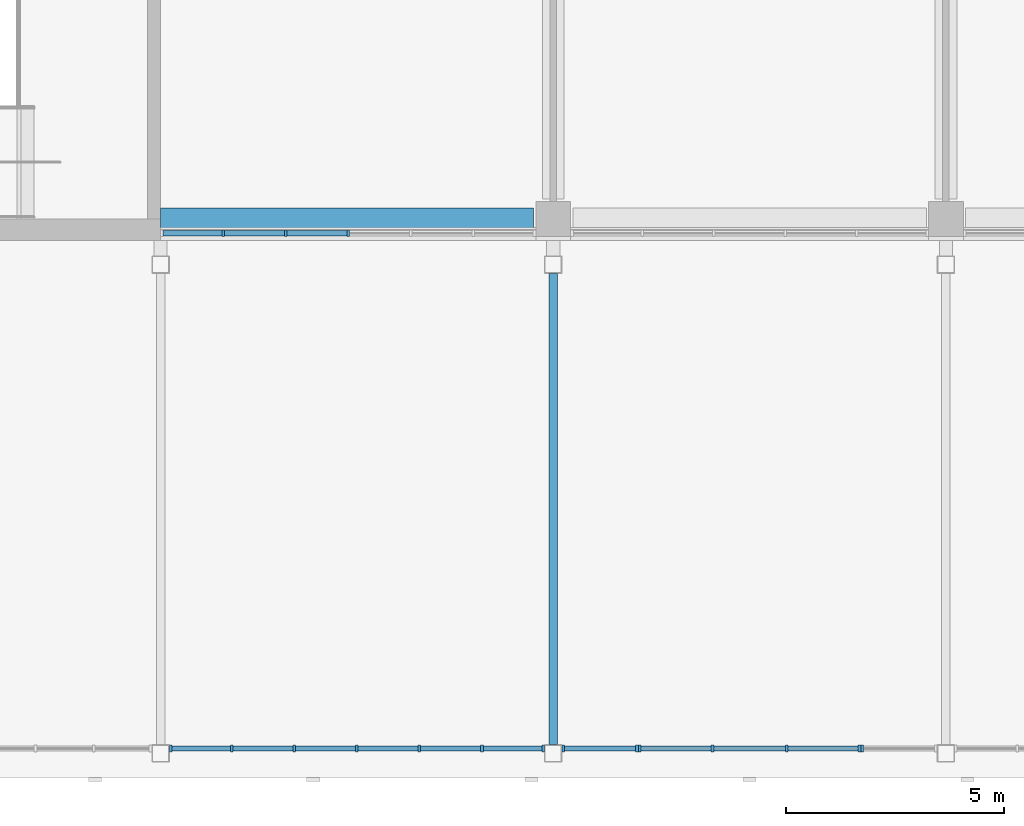
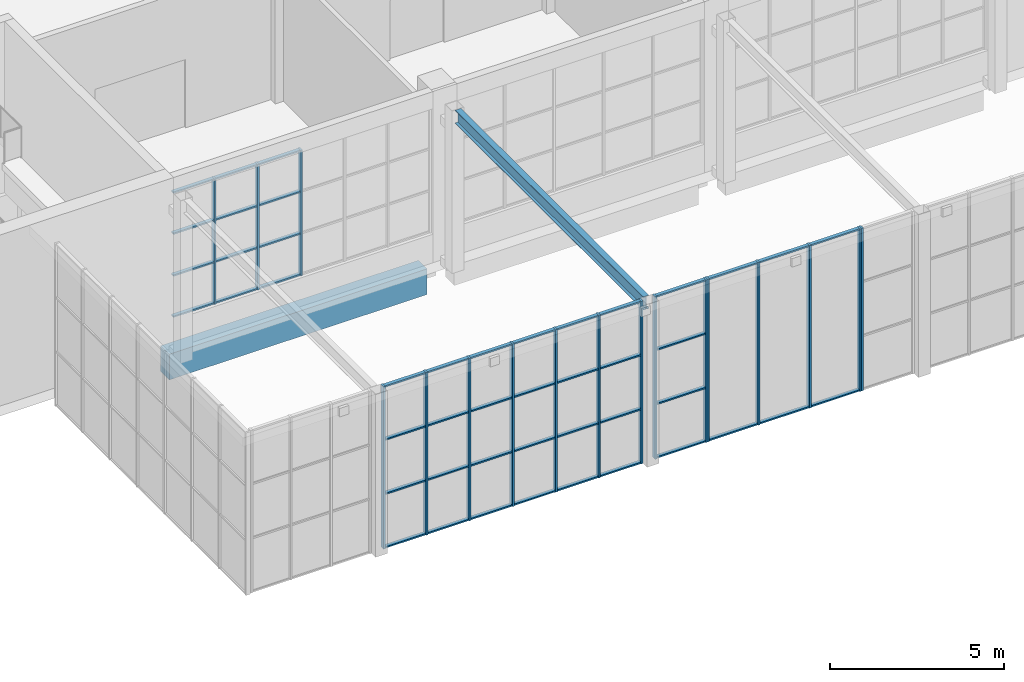
# One storey, part 9 of 89: 63 members, 2 beams, 5 elements without a shape of their own.
"""IFC4 building model written with IfcOpenShell, lengths in metres."""

from ifc_helpers import new_model, si_unit, direction, frame, origin, origin_2d, place, context, subcontext, project, spatial, rectangle, i_section, extrude, material, material_profile, profile_set, type_object, element, aggregate, save


model = new_model("IFC4")

# Units and contexts
model_context = context("Model", 3, precision=1e-05, world=origin(), true_north=direction((0.0, 1.0)))
body_context = subcontext(model_context, "Body", "Model", "MODEL_VIEW")
ifc_project = project(units=[si_unit("LENGTHUNIT", "METRE"), si_unit("AREAUNIT", "SQUARE_METRE"), si_unit("VOLUMEUNIT", "CUBIC_METRE"), si_unit("PLANEANGLEUNIT", "RADIAN"), si_unit("MASSUNIT", "GRAM", prefix="KILO")], contexts=[model_context])

# Site, building, storey
site_placement = place(None, origin())
site = spatial("IfcSite", under=ifc_project, at=site_placement, CompositionType="ELEMENT")
building_placement = place(site_placement, origin())
building = spatial("IfcBuilding", under=site, at=building_placement, Name="Silverbay Arena", CompositionType="ELEMENT")
storey_placement = place(building_placement, frame((0.0, 0.0, 22.0)))
storey = spatial("IfcBuildingStorey", under=building, at=storey_placement, Name="L03", CompositionType="ELEMENT", Elevation=22.0)

# Beam
ifc_material_1 = material(Name="Steel S355", Category="steel")
ifc_material_profile_1 = material_profile(ifc_material_1, i_section(OverallWidth=0.19287109375, OverallDepth=0.46728515625, WebThickness=0.011474609375, FlangeThickness=0.01953125, at=origin_2d()), Name="UB 457x191x98")
ifc_profile_set_1 = profile_set([ifc_material_profile_1], Name="Steel S355")
beam_type_1 = type_object("IfcBeamType", Name="Hall beam UB 457x191x98", PredefinedType="BEAM", material=ifc_profile_set_1)
beam_1_placement = place(storey_placement, frame((126.0, 16.75, 5.46630859375), z_axis=(0.0, -1.0, 0.0), x_axis=(1.0, 0.0, 0.0)))
element("IfcBeam", 1, at=beam_1_placement, inside=storey, type_object=beam_type_1, Name="South entrance hall S1 transverse beam 2R", PredefinedType="BEAM", context=body_context, shape_type="SweptSolid", body=[
    extrude(i_section(OverallWidth=0.19287109375, OverallDepth=0.46728515625, WebThickness=0.011474609375, FlangeThickness=0.01953125, at=origin_2d()), origin(), (0.0, 0.0, 1.0), 10.800048828125),
])

# Curtain wall, members
ifc_material_2 = material(Name="Aluminium framed curtain wall", Category="aluminium")
curtain_wall_type_1 = type_object("IfcCurtainWallType", Name="Curtain wall 8600 x 4400", PredefinedType="NOTDEFINED", material=ifc_material_2)
curtain_wall_1_placement = place(storey_placement, origin())
curtain_wall_1 = element("IfcCurtainWall", 2, at=curtain_wall_1_placement, inside=storey, type_object=curtain_wall_type_1, Name="South curtain wall L03 bay 8", PredefinedType="NOTDEFINED")
ifc_material_3 = material(Name="Aluminium", Category="aluminium")
ifc_material_profile_2 = material_profile(ifc_material_3, rectangle(XDim=0.159912109375, YDim=0.06005859375, at=origin_2d()), Name="Mullion 60 x 160")
ifc_profile_set_2 = profile_set([ifc_material_profile_2], Name="Aluminium")
member_type_1 = type_object("IfcMemberType", Name="Mullion 60 x 160", PredefinedType="MULLION", material=ifc_profile_set_2)
member_1_placement = place(storey_placement, frame((118.433349609375, 17.669921875, 1.0), z_axis=(0.0, 0.0, 1.0), x_axis=(0.0, 1.0, 0.0)))
member_1 = element("IfcMember", 3, at=member_1_placement, type_object=member_type_1, Name="CW12 mullion 2", PredefinedType="MULLION", context=body_context, shape_type="SweptSolid", body=[
    extrude(rectangle(XDim=0.159912109375, YDim=0.06005859375, at=origin_2d()), origin(), (0.0, 0.0, 1.0), 4.39990234375),
])
member_2_placement = place(storey_placement, frame((119.86669921875, 17.669921875, 1.0), z_axis=(0.0, 0.0, 1.0), x_axis=(0.0, 1.0, 0.0)))
member_2 = element("IfcMember", 4, at=member_2_placement, type_object=member_type_1, Name="CW12 mullion 3", PredefinedType="MULLION", context=body_context, shape_type="SweptSolid", body=[
    extrude(rectangle(XDim=0.159912109375, YDim=0.06005859375, at=origin_2d()), origin(), (0.0, 0.0, 1.0), 4.39990234375),
])
member_3_placement = place(storey_placement, frame((121.300048828125, 17.669921875, 1.0), z_axis=(0.0, 0.0, 1.0), x_axis=(0.0, 1.0, 0.0)))
member_3 = element("IfcMember", 5, at=member_3_placement, type_object=member_type_1, Name="CW12 mullion 4", PredefinedType="MULLION", context=body_context, shape_type="SweptSolid", body=[
    extrude(rectangle(XDim=0.159912109375, YDim=0.06005859375, at=origin_2d()), origin(), (0.0, 0.0, 1.0), 4.39990234375),
])

ifc_material_4 = material(Name="Aluminium framed curtain wall", Category="aluminium")
curtain_wall_type_2 = type_object("IfcCurtainWallType", Name="Curtain wall 8600 x 5700", PredefinedType="NOTDEFINED", material=ifc_material_4)
curtain_wall_2_placement = place(storey_placement, origin())
curtain_wall_2 = element("IfcCurtainWall", 6, at=curtain_wall_2_placement, inside=storey, type_object=curtain_wall_type_2, Name="South entrance hall S1 glazing F0", PredefinedType="NOTDEFINED")
member_4_placement = place(storey_placement, frame((117.22998046875, 5.860107421875, 0.0), z_axis=(0.0, 0.0, 1.0), x_axis=(0.0, 1.0, 0.0)))
member_4 = element("IfcMember", 7, at=member_4_placement, type_object=member_type_1, Name="CW27 mullion 1", PredefinedType="MULLION", context=body_context, shape_type="SweptSolid", body=[
    extrude(rectangle(XDim=0.159912109375, YDim=0.06005859375, at=origin_2d()), origin(), (0.0, 0.0, 1.0), 5.699951171875),
])
member_5_placement = place(storey_placement, frame((118.63330078125, 5.860107421875, 0.0), z_axis=(0.0, 0.0, 1.0), x_axis=(0.0, 1.0, 0.0)))
member_5 = element("IfcMember", 8, at=member_5_placement, type_object=member_type_1, Name="CW27 mullion 2", PredefinedType="MULLION", context=body_context, shape_type="SweptSolid", body=[
    extrude(rectangle(XDim=0.159912109375, YDim=0.06005859375, at=origin_2d()), origin(), (0.0, 0.0, 1.0), 5.699951171875),
])
member_6_placement = place(storey_placement, frame((120.066650390625, 5.860107421875, 0.0), z_axis=(0.0, 0.0, 1.0), x_axis=(0.0, 1.0, 0.0)))
member_6 = element("IfcMember", 9, at=member_6_placement, type_object=member_type_1, Name="CW27 mullion 3", PredefinedType="MULLION", context=body_context, shape_type="SweptSolid", body=[
    extrude(rectangle(XDim=0.159912109375, YDim=0.06005859375, at=origin_2d()), origin(), (0.0, 0.0, 1.0), 5.699951171875),
])
member_7_placement = place(storey_placement, frame((121.5, 5.860107421875, 0.0), z_axis=(0.0, 0.0, 1.0), x_axis=(0.0, 1.0, 0.0)))
member_7 = element("IfcMember", 10, at=member_7_placement, type_object=member_type_1, Name="CW27 mullion 4", PredefinedType="MULLION", context=body_context, shape_type="SweptSolid", body=[
    extrude(rectangle(XDim=0.159912109375, YDim=0.06005859375, at=origin_2d()), origin(), (0.0, 0.0, 1.0), 5.699951171875),
])
member_8_placement = place(storey_placement, frame((122.933349609375, 5.860107421875, 0.0), z_axis=(0.0, 0.0, 1.0), x_axis=(0.0, 1.0, 0.0)))
member_8 = element("IfcMember", 11, at=member_8_placement, type_object=member_type_1, Name="CW27 mullion 5", PredefinedType="MULLION", context=body_context, shape_type="SweptSolid", body=[
    extrude(rectangle(XDim=0.159912109375, YDim=0.06005859375, at=origin_2d()), origin(), (0.0, 0.0, 1.0), 5.699951171875),
])
member_9_placement = place(storey_placement, frame((124.36669921875, 5.860107421875, 0.0), z_axis=(0.0, 0.0, 1.0), x_axis=(0.0, 1.0, 0.0)))
member_9 = element("IfcMember", 12, at=member_9_placement, type_object=member_type_1, Name="CW27 mullion 6", PredefinedType="MULLION", context=body_context, shape_type="SweptSolid", body=[
    extrude(rectangle(XDim=0.159912109375, YDim=0.06005859375, at=origin_2d()), origin(), (0.0, 0.0, 1.0), 5.699951171875),
])
member_10_placement = place(storey_placement, frame((125.77001953125, 5.860107421875, 0.0), z_axis=(0.0, 0.0, 1.0), x_axis=(0.0, 1.0, 0.0)))
member_10 = element("IfcMember", 13, at=member_10_placement, type_object=member_type_1, Name="CW27 mullion 7", PredefinedType="MULLION", context=body_context, shape_type="SweptSolid", body=[
    extrude(rectangle(XDim=0.159912109375, YDim=0.06005859375, at=origin_2d()), origin(), (0.0, 0.0, 1.0), 5.699951171875),
])

ifc_material_5 = material(Name="Aluminium framed curtain wall", Category="aluminium")
curtain_wall_type_3 = type_object("IfcCurtainWallType", Name="Curtain wall 1750 x 5700", PredefinedType="NOTDEFINED", material=ifc_material_5)
curtain_wall_3_placement = place(storey_placement, origin())
curtain_wall_3 = element("IfcCurtainWall", 14, at=curtain_wall_3_placement, inside=storey, type_object=curtain_wall_type_3, Name="South entrance hall S1 glazing F1a", PredefinedType="NOTDEFINED")
member_11_placement = place(storey_placement, frame((126.22998046875, 5.860107421875, 0.0), z_axis=(0.0, 0.0, 1.0), x_axis=(0.0, 1.0, 0.0)))
member_11 = element("IfcMember", 15, at=member_11_placement, type_object=member_type_1, Name="CW31 mullion 1", PredefinedType="MULLION", context=body_context, shape_type="SweptSolid", body=[
    extrude(rectangle(XDim=0.159912109375, YDim=0.06005859375, at=origin_2d()), origin(), (0.0, 0.0, 1.0), 5.699951171875),
])
member_12_placement = place(storey_placement, frame((127.919921875, 5.860107421875, 0.0), z_axis=(0.0, 0.0, 1.0), x_axis=(0.0, 1.0, 0.0)))
member_12 = element("IfcMember", 16, at=member_12_placement, type_object=member_type_1, Name="CW31 mullion 2", PredefinedType="MULLION", context=body_context, shape_type="SweptSolid", body=[
    extrude(rectangle(XDim=0.159912109375, YDim=0.06005859375, at=origin_2d()), origin(), (0.0, 0.0, 1.0), 5.699951171875),
])

# Curtain wall, member
curtain_wall_4_placement = place(storey_placement, origin())
curtain_wall_4 = element("IfcCurtainWall", 17, at=curtain_wall_4_placement, inside=storey, type_object=curtain_wall_type_3, Name="South entrance hall S1 glazing F1b", PredefinedType="NOTDEFINED")
member_13_placement = place(storey_placement, frame((133.080078125, 5.860107421875, 0.0), z_axis=(0.0, 0.0, 1.0), x_axis=(0.0, 1.0, 0.0)))
member_13 = element("IfcMember", 18, at=member_13_placement, type_object=member_type_1, Name="CW31 mullion 1", PredefinedType="MULLION", context=body_context, shape_type="SweptSolid", body=[
    extrude(rectangle(XDim=0.159912109375, YDim=0.06005859375, at=origin_2d()), origin(), (0.0, 0.0, 1.0), 5.699951171875),
])
aggregate(curtain_wall_4, [member_13])

# Curtain wall, members
ifc_material_6 = material(Name="Aluminium framed curtain wall", Category="aluminium")
curtain_wall_type_4 = type_object("IfcCurtainWallType", Name="Curtain wall 5100 x 5700", PredefinedType="NOTDEFINED", material=ifc_material_6)
curtain_wall_5_placement = place(storey_placement, origin())
curtain_wall_5 = element("IfcCurtainWall", 19, at=curtain_wall_5_placement, inside=storey, type_object=curtain_wall_type_4, Name="South entrance hall S1 glazing over the door", PredefinedType="NOTDEFINED")
member_14_placement = place(storey_placement, frame((127.97998046875, 5.860107421875, 0.0), z_axis=(0.0, 0.0, 1.0), x_axis=(0.0, 1.0, 0.0)))
member_14 = element("IfcMember", 20, at=member_14_placement, type_object=member_type_1, Name="CW41 mullion 1", PredefinedType="MULLION", context=body_context, shape_type="SweptSolid", body=[
    extrude(rectangle(XDim=0.159912109375, YDim=0.06005859375, at=origin_2d()), origin(), (0.0, 0.0, 1.0), 5.699951171875),
])
member_15_placement = place(storey_placement, frame((129.64990234375, 5.860107421875, 0.0), z_axis=(0.0, 0.0, 1.0), x_axis=(0.0, 1.0, 0.0)))
member_15 = element("IfcMember", 21, at=member_15_placement, type_object=member_type_1, Name="CW41 mullion 2", PredefinedType="MULLION", context=body_context, shape_type="SweptSolid", body=[
    extrude(rectangle(XDim=0.159912109375, YDim=0.06005859375, at=origin_2d()), origin(), (0.0, 0.0, 1.0), 5.699951171875),
])
member_16_placement = place(storey_placement, frame((131.35009765625, 5.860107421875, 0.0), z_axis=(0.0, 0.0, 1.0), x_axis=(0.0, 1.0, 0.0)))
member_16 = element("IfcMember", 22, at=member_16_placement, type_object=member_type_1, Name="CW41 mullion 3", PredefinedType="MULLION", context=body_context, shape_type="SweptSolid", body=[
    extrude(rectangle(XDim=0.159912109375, YDim=0.06005859375, at=origin_2d()), origin(), (0.0, 0.0, 1.0), 5.699951171875),
])
member_17_placement = place(storey_placement, frame((133.02001953125, 5.860107421875, 0.0), z_axis=(0.0, 0.0, 1.0), x_axis=(0.0, 1.0, 0.0)))
member_17 = element("IfcMember", 23, at=member_17_placement, type_object=member_type_1, Name="CW41 mullion 4", PredefinedType="MULLION", context=body_context, shape_type="SweptSolid", body=[
    extrude(rectangle(XDim=0.159912109375, YDim=0.06005859375, at=origin_2d()), origin(), (0.0, 0.0, 1.0), 5.699951171875),
])

# Beam
ifc_material_7 = material(Name="Concrete Grade C45", Category="concrete")
ifc_material_profile_3 = material_profile(ifc_material_7, rectangle(XDim=0.5, YDim=0.89990234375, at=origin_2d()), Name="RC 500x900")
ifc_profile_set_3 = profile_set([ifc_material_profile_3], Name="Concrete Grade C45")
beam_type_2 = type_object("IfcBeamType", Name="RC beam 500x900", PredefinedType="BEAM", material=ifc_profile_set_3)
beam_2_placement = place(storey_placement, frame((117.0, 18.0, -0.800048828125), z_axis=(1.0, 0.0, 0.0), x_axis=(0.0, 1.0, 0.0)))
element("IfcBeam", 24, at=beam_2_placement, inside=storey, type_object=beam_type_2, Name="Floor beam L03 002", PredefinedType="BEAM", context=body_context, shape_type="SweptSolid", body=[
    extrude(rectangle(XDim=0.5, YDim=0.89990234375, at=origin_2d()), origin(), (0.0, 0.0, 1.0), 8.550048828125),
])

# Member
ifc_material_8 = material(Name="Aluminium", Category="aluminium")
ifc_material_profile_4 = material_profile(ifc_material_8, rectangle(XDim=0.1201171875, YDim=0.050048828125, at=origin_2d()), Name="Transom 50 x 120")
ifc_profile_set_4 = profile_set([ifc_material_profile_4], Name="Aluminium")
member_type_2 = type_object("IfcMemberType", Name="Transom 50 x 120", PredefinedType="USERDEFINED", material=ifc_profile_set_4)
member_18_placement = place(storey_placement, frame((117.06005859375, 17.669921875, 1.02490234375), z_axis=(1.0, 0.0, 0.0), x_axis=(0.0, 1.0, 0.0)))
member_18 = element("IfcMember", 25, at=member_18_placement, type_object=member_type_2, Name="CW12 transom 1.1", ObjectType="TRANSOM", PredefinedType="USERDEFINED", context=body_context, shape_type="SweptSolid", body=[
    extrude(rectangle(XDim=0.1201171875, YDim=0.050048828125, at=origin_2d()), origin(), (0.0, 0.0, 1.0), 1.34326171875),
])

member_19_placement = place(storey_placement, frame((117.06005859375, 17.669921875, 2.466552734375), z_axis=(1.0, 0.0, 0.0), x_axis=(0.0, 1.0, 0.0)))
member_19 = element("IfcMember", 26, at=member_19_placement, type_object=member_type_2, Name="CW12 transom 1.2", ObjectType="TRANSOM", PredefinedType="USERDEFINED", context=body_context, shape_type="SweptSolid", body=[
    extrude(rectangle(XDim=0.1201171875, YDim=0.050048828125, at=origin_2d()), origin(), (0.0, 0.0, 1.0), 1.34326171875),
])

member_20_placement = place(storey_placement, frame((117.06005859375, 17.669921875, 3.933349609375), z_axis=(1.0, 0.0, 0.0), x_axis=(0.0, 1.0, 0.0)))
member_20 = element("IfcMember", 27, at=member_20_placement, type_object=member_type_2, Name="CW12 transom 1.3", ObjectType="TRANSOM", PredefinedType="USERDEFINED", context=body_context, shape_type="SweptSolid", body=[
    extrude(rectangle(XDim=0.1201171875, YDim=0.050048828125, at=origin_2d()), origin(), (0.0, 0.0, 1.0), 1.34326171875),
])

member_21_placement = place(storey_placement, frame((117.06005859375, 17.669921875, 5.375), z_axis=(1.0, 0.0, 0.0), x_axis=(0.0, 1.0, 0.0)))
member_21 = element("IfcMember", 28, at=member_21_placement, type_object=member_type_2, Name="CW12 transom 1.4", ObjectType="TRANSOM", PredefinedType="USERDEFINED", context=body_context, shape_type="SweptSolid", body=[
    extrude(rectangle(XDim=0.1201171875, YDim=0.050048828125, at=origin_2d()), origin(), (0.0, 0.0, 1.0), 1.34326171875),
])

member_22_placement = place(storey_placement, frame((118.46337890625, 17.669921875, 1.02490234375), z_axis=(1.0, 0.0, 0.0), x_axis=(0.0, 1.0, 0.0)))
member_22 = element("IfcMember", 29, at=member_22_placement, type_object=member_type_2, Name="CW12 transom 2.1", ObjectType="TRANSOM", PredefinedType="USERDEFINED", context=body_context, shape_type="SweptSolid", body=[
    extrude(rectangle(XDim=0.1201171875, YDim=0.050048828125, at=origin_2d()), origin(), (0.0, 0.0, 1.0), 1.373291015625),
])

member_23_placement = place(storey_placement, frame((118.46337890625, 17.669921875, 2.466552734375), z_axis=(1.0, 0.0, 0.0), x_axis=(0.0, 1.0, 0.0)))
member_23 = element("IfcMember", 30, at=member_23_placement, type_object=member_type_2, Name="CW12 transom 2.2", ObjectType="TRANSOM", PredefinedType="USERDEFINED", context=body_context, shape_type="SweptSolid", body=[
    extrude(rectangle(XDim=0.1201171875, YDim=0.050048828125, at=origin_2d()), origin(), (0.0, 0.0, 1.0), 1.373291015625),
])

member_24_placement = place(storey_placement, frame((118.46337890625, 17.669921875, 3.933349609375), z_axis=(1.0, 0.0, 0.0), x_axis=(0.0, 1.0, 0.0)))
member_24 = element("IfcMember", 31, at=member_24_placement, type_object=member_type_2, Name="CW12 transom 2.3", ObjectType="TRANSOM", PredefinedType="USERDEFINED", context=body_context, shape_type="SweptSolid", body=[
    extrude(rectangle(XDim=0.1201171875, YDim=0.050048828125, at=origin_2d()), origin(), (0.0, 0.0, 1.0), 1.373291015625),
])

member_25_placement = place(storey_placement, frame((118.46337890625, 17.669921875, 5.375), z_axis=(1.0, 0.0, 0.0), x_axis=(0.0, 1.0, 0.0)))
member_25 = element("IfcMember", 32, at=member_25_placement, type_object=member_type_2, Name="CW12 transom 2.4", ObjectType="TRANSOM", PredefinedType="USERDEFINED", context=body_context, shape_type="SweptSolid", body=[
    extrude(rectangle(XDim=0.1201171875, YDim=0.050048828125, at=origin_2d()), origin(), (0.0, 0.0, 1.0), 1.373291015625),
])

member_26_placement = place(storey_placement, frame((119.896728515625, 17.669921875, 1.02490234375), z_axis=(1.0, 0.0, 0.0), x_axis=(0.0, 1.0, 0.0)))
member_26 = element("IfcMember", 33, at=member_26_placement, type_object=member_type_2, Name="CW12 transom 3.1", ObjectType="TRANSOM", PredefinedType="USERDEFINED", context=body_context, shape_type="SweptSolid", body=[
    extrude(rectangle(XDim=0.1201171875, YDim=0.050048828125, at=origin_2d()), origin(), (0.0, 0.0, 1.0), 1.373291015625),
])

member_27_placement = place(storey_placement, frame((119.896728515625, 17.669921875, 2.466552734375), z_axis=(1.0, 0.0, 0.0), x_axis=(0.0, 1.0, 0.0)))
member_27 = element("IfcMember", 34, at=member_27_placement, type_object=member_type_2, Name="CW12 transom 3.2", ObjectType="TRANSOM", PredefinedType="USERDEFINED", context=body_context, shape_type="SweptSolid", body=[
    extrude(rectangle(XDim=0.1201171875, YDim=0.050048828125, at=origin_2d()), origin(), (0.0, 0.0, 1.0), 1.373291015625),
])

member_28_placement = place(storey_placement, frame((119.896728515625, 17.669921875, 3.933349609375), z_axis=(1.0, 0.0, 0.0), x_axis=(0.0, 1.0, 0.0)))
member_28 = element("IfcMember", 35, at=member_28_placement, type_object=member_type_2, Name="CW12 transom 3.3", ObjectType="TRANSOM", PredefinedType="USERDEFINED", context=body_context, shape_type="SweptSolid", body=[
    extrude(rectangle(XDim=0.1201171875, YDim=0.050048828125, at=origin_2d()), origin(), (0.0, 0.0, 1.0), 1.373291015625),
])

member_29_placement = place(storey_placement, frame((119.896728515625, 17.669921875, 5.375), z_axis=(1.0, 0.0, 0.0), x_axis=(0.0, 1.0, 0.0)))
member_29 = element("IfcMember", 36, at=member_29_placement, type_object=member_type_2, Name="CW12 transom 3.4", ObjectType="TRANSOM", PredefinedType="USERDEFINED", context=body_context, shape_type="SweptSolid", body=[
    extrude(rectangle(XDim=0.1201171875, YDim=0.050048828125, at=origin_2d()), origin(), (0.0, 0.0, 1.0), 1.373291015625),
])

aggregate(curtain_wall_1, [member_1, member_2, member_3, member_18, member_19, member_20, member_21, member_22, member_23, member_24, member_25, member_26, member_27, member_28, member_29])

member_30_placement = place(storey_placement, frame((117.260009765625, 5.860107421875, 0.02490234375), z_axis=(1.0, 0.0, 0.0), x_axis=(0.0, 1.0, 0.0)))
member_30 = element("IfcMember", 37, at=member_30_placement, type_object=member_type_2, Name="CW27 transom 1.1", ObjectType="TRANSOM", PredefinedType="USERDEFINED", context=body_context, shape_type="SweptSolid", body=[
    extrude(rectangle(XDim=0.1201171875, YDim=0.050048828125, at=origin_2d()), origin(), (0.0, 0.0, 1.0), 1.34326171875),
])

member_31_placement = place(storey_placement, frame((117.260009765625, 5.860107421875, 1.89990234375), z_axis=(1.0, 0.0, 0.0), x_axis=(0.0, 1.0, 0.0)))
member_31 = element("IfcMember", 38, at=member_31_placement, type_object=member_type_2, Name="CW27 transom 1.2", ObjectType="TRANSOM", PredefinedType="USERDEFINED", context=body_context, shape_type="SweptSolid", body=[
    extrude(rectangle(XDim=0.1201171875, YDim=0.050048828125, at=origin_2d()), origin(), (0.0, 0.0, 1.0), 1.34326171875),
])

member_32_placement = place(storey_placement, frame((117.260009765625, 5.860107421875, 3.800048828125), z_axis=(1.0, 0.0, 0.0), x_axis=(0.0, 1.0, 0.0)))
member_32 = element("IfcMember", 39, at=member_32_placement, type_object=member_type_2, Name="CW27 transom 1.3", ObjectType="TRANSOM", PredefinedType="USERDEFINED", context=body_context, shape_type="SweptSolid", body=[
    extrude(rectangle(XDim=0.1201171875, YDim=0.050048828125, at=origin_2d()), origin(), (0.0, 0.0, 1.0), 1.34326171875),
])

member_33_placement = place(storey_placement, frame((117.260009765625, 5.860107421875, 5.675048828125), z_axis=(1.0, 0.0, 0.0), x_axis=(0.0, 1.0, 0.0)))
member_33 = element("IfcMember", 40, at=member_33_placement, type_object=member_type_2, Name="CW27 transom 1.4", ObjectType="TRANSOM", PredefinedType="USERDEFINED", context=body_context, shape_type="SweptSolid", body=[
    extrude(rectangle(XDim=0.1201171875, YDim=0.050048828125, at=origin_2d()), origin(), (0.0, 0.0, 1.0), 1.34326171875),
])

member_34_placement = place(storey_placement, frame((118.663330078125, 5.860107421875, 0.02490234375), z_axis=(1.0, 0.0, 0.0), x_axis=(0.0, 1.0, 0.0)))
member_34 = element("IfcMember", 41, at=member_34_placement, type_object=member_type_2, Name="CW27 transom 2.1", ObjectType="TRANSOM", PredefinedType="USERDEFINED", context=body_context, shape_type="SweptSolid", body=[
    extrude(rectangle(XDim=0.1201171875, YDim=0.050048828125, at=origin_2d()), origin(), (0.0, 0.0, 1.0), 1.373291015625),
])

member_35_placement = place(storey_placement, frame((118.663330078125, 5.860107421875, 1.89990234375), z_axis=(1.0, 0.0, 0.0), x_axis=(0.0, 1.0, 0.0)))
member_35 = element("IfcMember", 42, at=member_35_placement, type_object=member_type_2, Name="CW27 transom 2.2", ObjectType="TRANSOM", PredefinedType="USERDEFINED", context=body_context, shape_type="SweptSolid", body=[
    extrude(rectangle(XDim=0.1201171875, YDim=0.050048828125, at=origin_2d()), origin(), (0.0, 0.0, 1.0), 1.373291015625),
])

member_36_placement = place(storey_placement, frame((118.663330078125, 5.860107421875, 3.800048828125), z_axis=(1.0, 0.0, 0.0), x_axis=(0.0, 1.0, 0.0)))
member_36 = element("IfcMember", 43, at=member_36_placement, type_object=member_type_2, Name="CW27 transom 2.3", ObjectType="TRANSOM", PredefinedType="USERDEFINED", context=body_context, shape_type="SweptSolid", body=[
    extrude(rectangle(XDim=0.1201171875, YDim=0.050048828125, at=origin_2d()), origin(), (0.0, 0.0, 1.0), 1.373291015625),
])

member_37_placement = place(storey_placement, frame((118.663330078125, 5.860107421875, 5.675048828125), z_axis=(1.0, 0.0, 0.0), x_axis=(0.0, 1.0, 0.0)))
member_37 = element("IfcMember", 44, at=member_37_placement, type_object=member_type_2, Name="CW27 transom 2.4", ObjectType="TRANSOM", PredefinedType="USERDEFINED", context=body_context, shape_type="SweptSolid", body=[
    extrude(rectangle(XDim=0.1201171875, YDim=0.050048828125, at=origin_2d()), origin(), (0.0, 0.0, 1.0), 1.373291015625),
])

member_38_placement = place(storey_placement, frame((120.0966796875, 5.860107421875, 0.02490234375), z_axis=(1.0, 0.0, 0.0), x_axis=(0.0, 1.0, 0.0)))
member_38 = element("IfcMember", 45, at=member_38_placement, type_object=member_type_2, Name="CW27 transom 3.1", ObjectType="TRANSOM", PredefinedType="USERDEFINED", context=body_context, shape_type="SweptSolid", body=[
    extrude(rectangle(XDim=0.1201171875, YDim=0.050048828125, at=origin_2d()), origin(), (0.0, 0.0, 1.0), 1.373291015625),
])

member_39_placement = place(storey_placement, frame((120.0966796875, 5.860107421875, 1.89990234375), z_axis=(1.0, 0.0, 0.0), x_axis=(0.0, 1.0, 0.0)))
member_39 = element("IfcMember", 46, at=member_39_placement, type_object=member_type_2, Name="CW27 transom 3.2", ObjectType="TRANSOM", PredefinedType="USERDEFINED", context=body_context, shape_type="SweptSolid", body=[
    extrude(rectangle(XDim=0.1201171875, YDim=0.050048828125, at=origin_2d()), origin(), (0.0, 0.0, 1.0), 1.373291015625),
])

member_40_placement = place(storey_placement, frame((120.0966796875, 5.860107421875, 3.800048828125), z_axis=(1.0, 0.0, 0.0), x_axis=(0.0, 1.0, 0.0)))
member_40 = element("IfcMember", 47, at=member_40_placement, type_object=member_type_2, Name="CW27 transom 3.3", ObjectType="TRANSOM", PredefinedType="USERDEFINED", context=body_context, shape_type="SweptSolid", body=[
    extrude(rectangle(XDim=0.1201171875, YDim=0.050048828125, at=origin_2d()), origin(), (0.0, 0.0, 1.0), 1.373291015625),
])

member_41_placement = place(storey_placement, frame((120.0966796875, 5.860107421875, 5.675048828125), z_axis=(1.0, 0.0, 0.0), x_axis=(0.0, 1.0, 0.0)))
member_41 = element("IfcMember", 48, at=member_41_placement, type_object=member_type_2, Name="CW27 transom 3.4", ObjectType="TRANSOM", PredefinedType="USERDEFINED", context=body_context, shape_type="SweptSolid", body=[
    extrude(rectangle(XDim=0.1201171875, YDim=0.050048828125, at=origin_2d()), origin(), (0.0, 0.0, 1.0), 1.373291015625),
])

member_42_placement = place(storey_placement, frame((121.530029296875, 5.860107421875, 0.02490234375), z_axis=(1.0, 0.0, 0.0), x_axis=(0.0, 1.0, 0.0)))
member_42 = element("IfcMember", 49, at=member_42_placement, type_object=member_type_2, Name="CW27 transom 4.1", ObjectType="TRANSOM", PredefinedType="USERDEFINED", context=body_context, shape_type="SweptSolid", body=[
    extrude(rectangle(XDim=0.1201171875, YDim=0.050048828125, at=origin_2d()), origin(), (0.0, 0.0, 1.0), 1.373291015625),
])

member_43_placement = place(storey_placement, frame((121.530029296875, 5.860107421875, 1.89990234375), z_axis=(1.0, 0.0, 0.0), x_axis=(0.0, 1.0, 0.0)))
member_43 = element("IfcMember", 50, at=member_43_placement, type_object=member_type_2, Name="CW27 transom 4.2", ObjectType="TRANSOM", PredefinedType="USERDEFINED", context=body_context, shape_type="SweptSolid", body=[
    extrude(rectangle(XDim=0.1201171875, YDim=0.050048828125, at=origin_2d()), origin(), (0.0, 0.0, 1.0), 1.373291015625),
])

member_44_placement = place(storey_placement, frame((121.530029296875, 5.860107421875, 3.800048828125), z_axis=(1.0, 0.0, 0.0), x_axis=(0.0, 1.0, 0.0)))
member_44 = element("IfcMember", 51, at=member_44_placement, type_object=member_type_2, Name="CW27 transom 4.3", ObjectType="TRANSOM", PredefinedType="USERDEFINED", context=body_context, shape_type="SweptSolid", body=[
    extrude(rectangle(XDim=0.1201171875, YDim=0.050048828125, at=origin_2d()), origin(), (0.0, 0.0, 1.0), 1.373291015625),
])

member_45_placement = place(storey_placement, frame((121.530029296875, 5.860107421875, 5.675048828125), z_axis=(1.0, 0.0, 0.0), x_axis=(0.0, 1.0, 0.0)))
member_45 = element("IfcMember", 52, at=member_45_placement, type_object=member_type_2, Name="CW27 transom 4.4", ObjectType="TRANSOM", PredefinedType="USERDEFINED", context=body_context, shape_type="SweptSolid", body=[
    extrude(rectangle(XDim=0.1201171875, YDim=0.050048828125, at=origin_2d()), origin(), (0.0, 0.0, 1.0), 1.373291015625),
])

member_46_placement = place(storey_placement, frame((122.96337890625, 5.860107421875, 0.02490234375), z_axis=(1.0, 0.0, 0.0), x_axis=(0.0, 1.0, 0.0)))
member_46 = element("IfcMember", 53, at=member_46_placement, type_object=member_type_2, Name="CW27 transom 5.1", ObjectType="TRANSOM", PredefinedType="USERDEFINED", context=body_context, shape_type="SweptSolid", body=[
    extrude(rectangle(XDim=0.1201171875, YDim=0.050048828125, at=origin_2d()), origin(), (0.0, 0.0, 1.0), 1.373291015625),
])

member_47_placement = place(storey_placement, frame((122.96337890625, 5.860107421875, 1.89990234375), z_axis=(1.0, 0.0, 0.0), x_axis=(0.0, 1.0, 0.0)))
member_47 = element("IfcMember", 54, at=member_47_placement, type_object=member_type_2, Name="CW27 transom 5.2", ObjectType="TRANSOM", PredefinedType="USERDEFINED", context=body_context, shape_type="SweptSolid", body=[
    extrude(rectangle(XDim=0.1201171875, YDim=0.050048828125, at=origin_2d()), origin(), (0.0, 0.0, 1.0), 1.373291015625),
])

member_48_placement = place(storey_placement, frame((122.96337890625, 5.860107421875, 3.800048828125), z_axis=(1.0, 0.0, 0.0), x_axis=(0.0, 1.0, 0.0)))
member_48 = element("IfcMember", 55, at=member_48_placement, type_object=member_type_2, Name="CW27 transom 5.3", ObjectType="TRANSOM", PredefinedType="USERDEFINED", context=body_context, shape_type="SweptSolid", body=[
    extrude(rectangle(XDim=0.1201171875, YDim=0.050048828125, at=origin_2d()), origin(), (0.0, 0.0, 1.0), 1.373291015625),
])

member_49_placement = place(storey_placement, frame((122.96337890625, 5.860107421875, 5.675048828125), z_axis=(1.0, 0.0, 0.0), x_axis=(0.0, 1.0, 0.0)))
member_49 = element("IfcMember", 56, at=member_49_placement, type_object=member_type_2, Name="CW27 transom 5.4", ObjectType="TRANSOM", PredefinedType="USERDEFINED", context=body_context, shape_type="SweptSolid", body=[
    extrude(rectangle(XDim=0.1201171875, YDim=0.050048828125, at=origin_2d()), origin(), (0.0, 0.0, 1.0), 1.373291015625),
])

member_50_placement = place(storey_placement, frame((124.396728515625, 5.860107421875, 0.02490234375), z_axis=(1.0, 0.0, 0.0), x_axis=(0.0, 1.0, 0.0)))
member_50 = element("IfcMember", 57, at=member_50_placement, type_object=member_type_2, Name="CW27 transom 6.1", ObjectType="TRANSOM", PredefinedType="USERDEFINED", context=body_context, shape_type="SweptSolid", body=[
    extrude(rectangle(XDim=0.1201171875, YDim=0.050048828125, at=origin_2d()), origin(), (0.0, 0.0, 1.0), 1.34326171875),
])

member_51_placement = place(storey_placement, frame((124.396728515625, 5.860107421875, 1.89990234375), z_axis=(1.0, 0.0, 0.0), x_axis=(0.0, 1.0, 0.0)))
member_51 = element("IfcMember", 58, at=member_51_placement, type_object=member_type_2, Name="CW27 transom 6.2", ObjectType="TRANSOM", PredefinedType="USERDEFINED", context=body_context, shape_type="SweptSolid", body=[
    extrude(rectangle(XDim=0.1201171875, YDim=0.050048828125, at=origin_2d()), origin(), (0.0, 0.0, 1.0), 1.34326171875),
])

member_52_placement = place(storey_placement, frame((124.396728515625, 5.860107421875, 3.800048828125), z_axis=(1.0, 0.0, 0.0), x_axis=(0.0, 1.0, 0.0)))
member_52 = element("IfcMember", 59, at=member_52_placement, type_object=member_type_2, Name="CW27 transom 6.3", ObjectType="TRANSOM", PredefinedType="USERDEFINED", context=body_context, shape_type="SweptSolid", body=[
    extrude(rectangle(XDim=0.1201171875, YDim=0.050048828125, at=origin_2d()), origin(), (0.0, 0.0, 1.0), 1.34326171875),
])

member_53_placement = place(storey_placement, frame((124.396728515625, 5.860107421875, 5.675048828125), z_axis=(1.0, 0.0, 0.0), x_axis=(0.0, 1.0, 0.0)))
member_53 = element("IfcMember", 60, at=member_53_placement, type_object=member_type_2, Name="CW27 transom 6.4", ObjectType="TRANSOM", PredefinedType="USERDEFINED", context=body_context, shape_type="SweptSolid", body=[
    extrude(rectangle(XDim=0.1201171875, YDim=0.050048828125, at=origin_2d()), origin(), (0.0, 0.0, 1.0), 1.34326171875),
])

aggregate(curtain_wall_2, [member_4, member_5, member_6, member_7, member_8, member_9, member_10, member_30, member_31, member_32, member_33, member_34, member_35, member_36, member_37, member_38, member_39, member_40, member_41, member_42, member_43, member_44, member_45, member_46, member_47, member_48, member_49, member_50, member_51, member_52, member_53])

member_54_placement = place(storey_placement, frame((126.260009765625, 5.860107421875, 0.02490234375), z_axis=(1.0, 0.0, 0.0), x_axis=(0.0, 1.0, 0.0)))
member_54 = element("IfcMember", 61, at=member_54_placement, type_object=member_type_2, Name="CW31 transom 1.1", ObjectType="TRANSOM", PredefinedType="USERDEFINED", context=body_context, shape_type="SweptSolid", body=[
    extrude(rectangle(XDim=0.1201171875, YDim=0.050048828125, at=origin_2d()), origin(), (0.0, 0.0, 1.0), 1.6298828125),
])

member_55_placement = place(storey_placement, frame((126.260009765625, 5.860107421875, 1.89990234375), z_axis=(1.0, 0.0, 0.0), x_axis=(0.0, 1.0, 0.0)))
member_55 = element("IfcMember", 62, at=member_55_placement, type_object=member_type_2, Name="CW31 transom 1.2", ObjectType="TRANSOM", PredefinedType="USERDEFINED", context=body_context, shape_type="SweptSolid", body=[
    extrude(rectangle(XDim=0.1201171875, YDim=0.050048828125, at=origin_2d()), origin(), (0.0, 0.0, 1.0), 1.6298828125),
])

member_56_placement = place(storey_placement, frame((126.260009765625, 5.860107421875, 3.800048828125), z_axis=(1.0, 0.0, 0.0), x_axis=(0.0, 1.0, 0.0)))
member_56 = element("IfcMember", 63, at=member_56_placement, type_object=member_type_2, Name="CW31 transom 1.3", ObjectType="TRANSOM", PredefinedType="USERDEFINED", context=body_context, shape_type="SweptSolid", body=[
    extrude(rectangle(XDim=0.1201171875, YDim=0.050048828125, at=origin_2d()), origin(), (0.0, 0.0, 1.0), 1.6298828125),
])

member_57_placement = place(storey_placement, frame((126.260009765625, 5.860107421875, 5.675048828125), z_axis=(1.0, 0.0, 0.0), x_axis=(0.0, 1.0, 0.0)))
member_57 = element("IfcMember", 64, at=member_57_placement, type_object=member_type_2, Name="CW31 transom 1.4", ObjectType="TRANSOM", PredefinedType="USERDEFINED", context=body_context, shape_type="SweptSolid", body=[
    extrude(rectangle(XDim=0.1201171875, YDim=0.050048828125, at=origin_2d()), origin(), (0.0, 0.0, 1.0), 1.6298828125),
])

aggregate(curtain_wall_3, [member_11, member_12, member_54, member_55, member_56, member_57])

member_58_placement = place(storey_placement, frame((128.010009765625, 5.860107421875, 0.02490234375), z_axis=(1.0, 0.0, 0.0), x_axis=(0.0, 1.0, 0.0)))
member_58 = element("IfcMember", 65, at=member_58_placement, type_object=member_type_2, Name="CW41 transom 1.1", ObjectType="TRANSOM", PredefinedType="USERDEFINED", context=body_context, shape_type="SweptSolid", body=[
    extrude(rectangle(XDim=0.1201171875, YDim=0.050048828125, at=origin_2d()), origin(), (0.0, 0.0, 1.0), 1.610107421875),
])

member_59_placement = place(storey_placement, frame((128.010009765625, 5.860107421875, 5.675048828125), z_axis=(1.0, 0.0, 0.0), x_axis=(0.0, 1.0, 0.0)))
member_59 = element("IfcMember", 66, at=member_59_placement, type_object=member_type_2, Name="CW41 transom 1.2", ObjectType="TRANSOM", PredefinedType="USERDEFINED", context=body_context, shape_type="SweptSolid", body=[
    extrude(rectangle(XDim=0.1201171875, YDim=0.050048828125, at=origin_2d()), origin(), (0.0, 0.0, 1.0), 1.610107421875),
])

member_60_placement = place(storey_placement, frame((129.679931640625, 5.860107421875, 0.02490234375), z_axis=(1.0, 0.0, 0.0), x_axis=(0.0, 1.0, 0.0)))
member_60 = element("IfcMember", 67, at=member_60_placement, type_object=member_type_2, Name="CW41 transom 2.1", ObjectType="TRANSOM", PredefinedType="USERDEFINED", context=body_context, shape_type="SweptSolid", body=[
    extrude(rectangle(XDim=0.1201171875, YDim=0.050048828125, at=origin_2d()), origin(), (0.0, 0.0, 1.0), 1.64013671875),
])

member_61_placement = place(storey_placement, frame((129.679931640625, 5.860107421875, 5.675048828125), z_axis=(1.0, 0.0, 0.0), x_axis=(0.0, 1.0, 0.0)))
member_61 = element("IfcMember", 68, at=member_61_placement, type_object=member_type_2, Name="CW41 transom 2.2", ObjectType="TRANSOM", PredefinedType="USERDEFINED", context=body_context, shape_type="SweptSolid", body=[
    extrude(rectangle(XDim=0.1201171875, YDim=0.050048828125, at=origin_2d()), origin(), (0.0, 0.0, 1.0), 1.64013671875),
])

member_62_placement = place(storey_placement, frame((131.3798828125, 5.860107421875, 0.02490234375), z_axis=(1.0, 0.0, 0.0), x_axis=(0.0, 1.0, 0.0)))
member_62 = element("IfcMember", 69, at=member_62_placement, type_object=member_type_2, Name="CW41 transom 3.1", ObjectType="TRANSOM", PredefinedType="USERDEFINED", context=body_context, shape_type="SweptSolid", body=[
    extrude(rectangle(XDim=0.1201171875, YDim=0.050048828125, at=origin_2d()), origin(), (0.0, 0.0, 1.0), 1.610107421875),
])

member_63_placement = place(storey_placement, frame((131.3798828125, 5.860107421875, 5.675048828125), z_axis=(1.0, 0.0, 0.0), x_axis=(0.0, 1.0, 0.0)))
member_63 = element("IfcMember", 70, at=member_63_placement, type_object=member_type_2, Name="CW41 transom 3.2", ObjectType="TRANSOM", PredefinedType="USERDEFINED", context=body_context, shape_type="SweptSolid", body=[
    extrude(rectangle(XDim=0.1201171875, YDim=0.050048828125, at=origin_2d()), origin(), (0.0, 0.0, 1.0), 1.610107421875),
])

aggregate(curtain_wall_5, [member_14, member_15, member_16, member_17, member_58, member_59, member_60, member_61, member_62, member_63])

save(model, "model.ifc")
